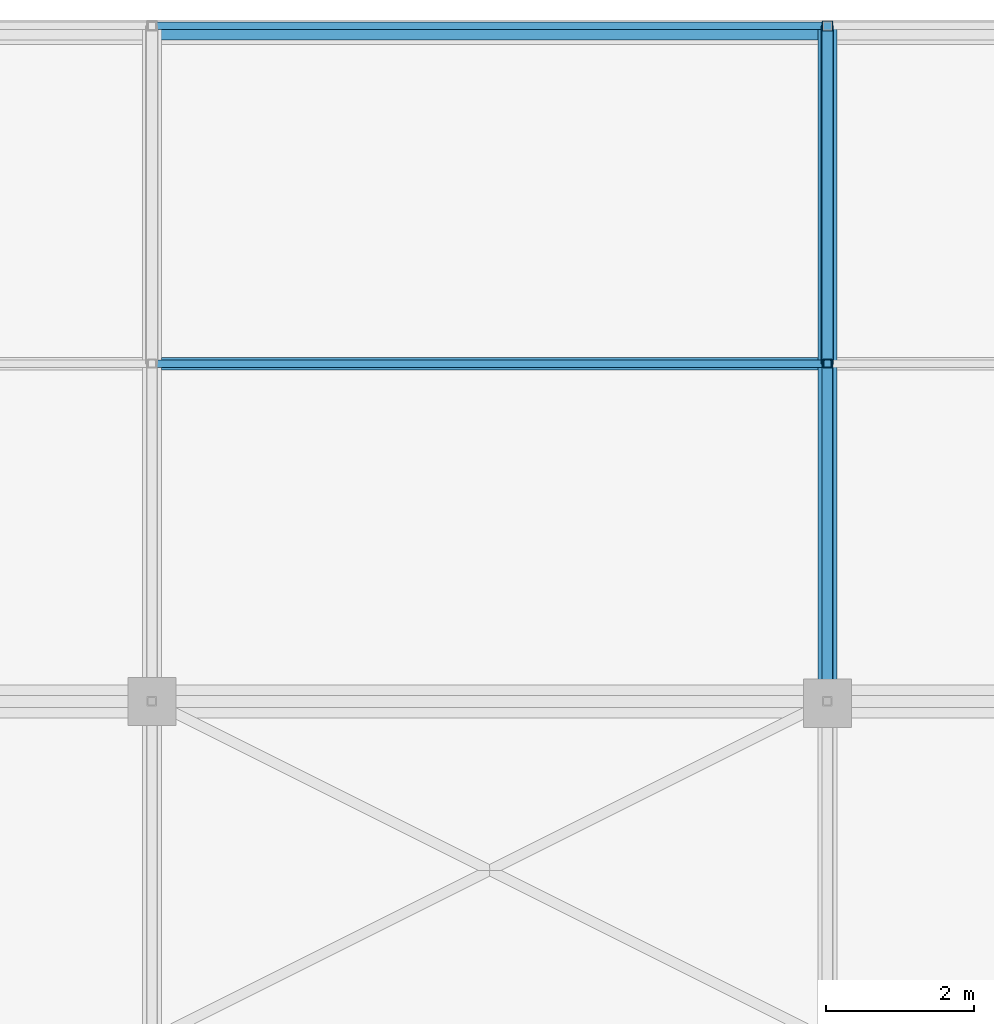
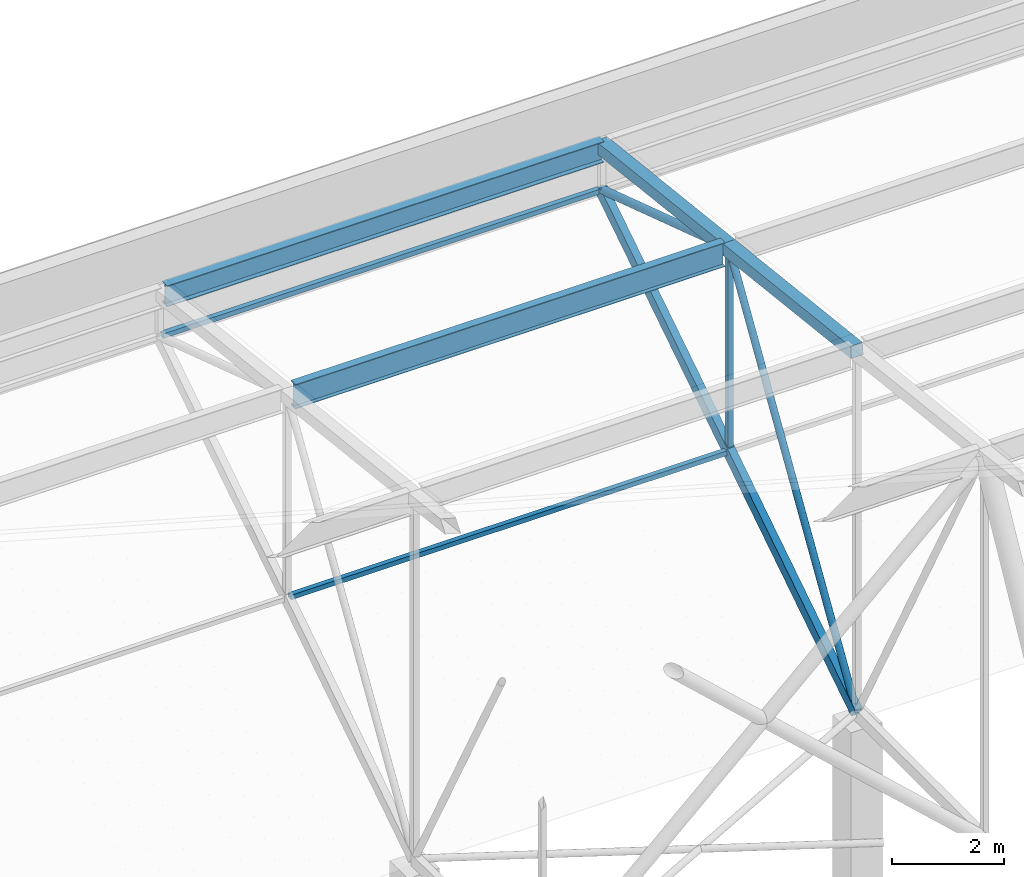
# One storey, part 253 of 500: 11 members.
"""IFC4 building model written with IfcOpenShell, lengths in metres."""

from ifc_helpers import new_model, si_unit, direction, frame, origin, origin_2d, place, context, subcontext, project, spatial, hollow_rectangle, hollow_circle, i_section, extrude, material, material_profile, profile_set, type_object, element, save


model = new_model("IFC4")

# Units and contexts
model_context = context("Model", 3, precision=1e-05, world=origin(), true_north=direction((0.0, 1.0)))
body_context = subcontext(model_context, "Body", "Model", "MODEL_VIEW")
ifc_project = project(units=[si_unit("LENGTHUNIT", "METRE"), si_unit("AREAUNIT", "SQUARE_METRE"), si_unit("VOLUMEUNIT", "CUBIC_METRE"), si_unit("PLANEANGLEUNIT", "RADIAN"), si_unit("MASSUNIT", "GRAM", prefix="KILO")], contexts=[model_context])

# Site, building, storey
site_placement = place(None, origin())
site = spatial("IfcSite", under=ifc_project, at=site_placement, CompositionType="ELEMENT")
building_placement = place(site_placement, origin())
building = spatial("IfcBuilding", under=site, at=building_placement, Name="Shirokan Park Arena", CompositionType="ELEMENT")
storey_placement = place(building_placement, frame((0.0, 0.0, 29.1201171875)))
storey = spatial("IfcBuildingStorey", under=building, at=storey_placement, Name="L06", CompositionType="ELEMENT", Elevation=29.1201171875)

# Members
ifc_material_1 = material(Name="Steel ASTM A500 Grade C", Category="steel")
ifc_material_profile_1 = material_profile(ifc_material_1, hollow_rectangle(XDim=0.152099609375, YDim=0.25390625, WallThickness=0.009521484375, at=origin_2d()), Name="HSS254X152.4X9.5")
ifc_profile_set_1 = profile_set([ifc_material_profile_1], Name="Steel ASTM A500 Grade C")
member_type_1 = type_object("IfcMemberType", Name="Bottom chord HSS254X152.4X9.5", PredefinedType="CHORD", material=ifc_profile_set_1)
for number, where, z_axis, x_axis, name in (
    (1, (54.60009765625, 109.199951171875, 4.677001953125), (0.0, 0.840971691661, 0.541079119746), (-1.0, 0.0, 0.0), "Truss T07 bottom chord 27"),
    (2, (54.60009765625, 113.75, 7.6044921875), (0.0, 0.840971691661, 0.541079119746), (-1.0, 0.0, 0.0), "Truss T07 bottom chord 28"),
):
    element("IfcMember", number, at=place(storey_placement, frame(where, z_axis=z_axis, x_axis=x_axis)), inside=storey, type_object=member_type_1, Name=name, PredefinedType="CHORD", context=body_context, shape_type="SweptSolid", body=[
        extrude(hollow_rectangle(XDim=0.152099609375, YDim=0.25390625, WallThickness=0.009521484375, at=origin_2d()), origin(), (0.0, 0.0, 1.0), 5.410400390625),
    ])
ifc_material_profile_2 = material_profile(ifc_material_1, hollow_rectangle(XDim=0.10205078125, YDim=0.10205078125, WallThickness=0.00634765625, at=origin_2d()), Name="HSS101.6X101.6X6.4")
ifc_profile_set_2 = profile_set([ifc_material_profile_2], Name="Steel ASTM A500 Grade C")
member_type_2 = type_object("IfcMemberType", Name="Eave soffit rail HSS101.6X101.6X6.4", PredefinedType="USERDEFINED", material=ifc_profile_set_2)
for number, where, z_axis, x_axis, name in (
    (3, (45.556884765625, 118.300048828125, 10.531982421875), (1.0, 0.0, 0.0), (0.0, 1.0, 0.0), "Eave soffit rail N 29 bay 6"),
    (4, (45.556884765625, 113.75, 7.6044921875), (1.0, 0.0, 0.0), (0.0, 1.0, 0.0), "Eave soffit rail N 28 bay 6"),
):
    element("IfcMember", number, at=place(storey_placement, frame(where, z_axis=z_axis, x_axis=x_axis)), inside=storey, type_object=member_type_2, Name=name, ObjectType="EAVE SOFFIT RAIL", PredefinedType="USERDEFINED", context=body_context, shape_type="SweptSolid", body=[
        extrude(hollow_rectangle(XDim=0.10205078125, YDim=0.10205078125, WallThickness=0.00634765625, at=origin_2d()), origin(), (0.0, 0.0, 1.0), 8.986083984375),
    ])
ifc_material_2 = material(Name="Steel ASTM A992", Category="steel")
ifc_material_profile_3 = material_profile(ifc_material_2, i_section(OverallWidth=0.166015625, OverallDepth=0.528076171875, WebThickness=0.009765625, FlangeThickness=0.013671875, at=origin_2d()), Name="W530X74")
ifc_profile_set_3 = profile_set([ifc_material_profile_3], Name="Steel ASTM A992")
member_type_3 = type_object("IfcMemberType", Name="Purlin W530X74", PredefinedType="PURLIN", material=ifc_profile_set_3)
member_1_placement = place(storey_placement, frame((45.626953125, 113.75, 11.9658203125), z_axis=(1.0, 0.0, 0.0), x_axis=(0.0, 1.0, 0.0)))
element("IfcMember", 5, at=member_1_placement, inside=storey, type_object=member_type_3, Name="Purlin 28 bay 6", PredefinedType="PURLIN", context=body_context, shape_type="SweptSolid", body=[
    extrude(i_section(OverallWidth=0.166015625, OverallDepth=0.528076171875, WebThickness=0.009765625, FlangeThickness=0.013671875, at=origin_2d()), origin(), (0.0, 0.0, 1.0), 8.845947265625),
])
ifc_material_profile_4 = material_profile(ifc_material_2, i_section(OverallWidth=0.19091796875, OverallDepth=0.45703125, WebThickness=0.009033203125, FlangeThickness=0.014404296875, at=origin_2d()), Name="W460X74")
ifc_profile_set_4 = profile_set([ifc_material_profile_4], Name="Steel ASTM A992")
member_type_4 = type_object("IfcMemberType", Name="Roof edge beam W460X74", PredefinedType="USERDEFINED", material=ifc_profile_set_4)
member_2_placement = place(storey_placement, frame((45.556884765625, 118.20458984375, 11.4814453125), z_axis=(1.0, 0.0, 0.0), x_axis=(0.0, 1.0, 0.0)))
element("IfcMember", 6, at=member_2_placement, inside=storey, type_object=member_type_4, Name="Roof edge beam N 7", ObjectType="ROOF EDGE BEAM", PredefinedType="USERDEFINED", context=body_context, shape_type="SweptSolid", body=[
    extrude(i_section(OverallWidth=0.19091796875, OverallDepth=0.45703125, WebThickness=0.009033203125, FlangeThickness=0.014404296875, at=origin_2d()), origin(), (0.0, 0.0, 1.0), 8.986083984375),
])
ifc_material_profile_5 = material_profile(ifc_material_1, hollow_rectangle(XDim=0.25390625, YDim=0.25390625, WallThickness=0.009521484375, at=origin_2d()), Name="HSS254X254X9.5")
ifc_profile_set_5 = profile_set([ifc_material_profile_5], Name="Steel ASTM A500 Grade C")
member_type_5 = type_object("IfcMemberType", Name="Top chord HSS254X254X9.5", PredefinedType="CHORD", material=ifc_profile_set_5)
for number, where, z_axis, x_axis, name in (
    (7, (54.60009765625, 109.199951171875, 12.54150390625), (0.0, 0.993532328996, -0.113549598152), (-1.0, 0.0, 0.0), "Truss T07 top chord 27"),
    (8, (54.60009765625, 113.75, 12.021484375), (0.0, 0.993532328996, -0.113549598152), (-1.0, 0.0, 0.0), "Truss T07 top chord 28"),
):
    element("IfcMember", number, at=place(storey_placement, frame(where, z_axis=z_axis, x_axis=x_axis)), inside=storey, type_object=member_type_5, Name=name, PredefinedType="CHORD", context=body_context, shape_type="SweptSolid", body=[
        extrude(hollow_rectangle(XDim=0.25390625, YDim=0.25390625, WallThickness=0.009521484375, at=origin_2d()), origin(), (0.0, 0.0, 1.0), 4.57958984375),
    ])
ifc_material_profile_6 = material_profile(ifc_material_1, hollow_circle(Radius=0.070556640625, WallThickness=0.006591796875, at=origin_2d()), Name="HSS141.3X6.6")
ifc_profile_set_6 = profile_set([ifc_material_profile_6], Name="Steel ASTM A500 Grade C")
member_type_6 = type_object("IfcMemberType", Name="Truss diagonal HSS141.3X6.6", PredefinedType="BRACE", material=ifc_profile_set_6)
member_3_placement = place(storey_placement, frame((54.60009765625, 109.199951171875, 4.677001953125), z_axis=(0.0, 0.526644483383, 0.850085635758), x_axis=(-1.0, 0.0, 0.0)))
element("IfcMember", 9, at=member_3_placement, inside=storey, type_object=member_type_6, Name="Truss T07 diagonal 27", PredefinedType="BRACE", context=body_context, shape_type="SweptSolid", body=[
    extrude(hollow_circle(Radius=0.070556640625, WallThickness=0.006591796875, at=origin_2d()), origin(), (0.0, 0.0, 1.0), 8.6396484375),
])
ifc_material_profile_7 = material_profile(ifc_material_1, hollow_circle(Radius=0.083984375, WallThickness=0.009521484375, at=origin_2d()), Name="HSS168.3X9.5")
ifc_profile_set_7 = profile_set([ifc_material_profile_7], Name="Steel ASTM A500 Grade C")
member_type_7 = type_object("IfcMemberType", Name="Truss diagonal HSS168.3X9.5", PredefinedType="BRACE", material=ifc_profile_set_7)
member_4_placement = place(storey_placement, frame((54.60009765625, 113.75, 12.021484375), z_axis=(0.0, 0.950372733116, -0.311113593644), x_axis=(-1.0, 0.0, 0.0)))
element("IfcMember", 10, at=member_4_placement, inside=storey, type_object=member_type_7, Name="Truss T07 diagonal 28", PredefinedType="BRACE", context=body_context, shape_type="SweptSolid", body=[
    extrude(hollow_circle(Radius=0.083984375, WallThickness=0.009521484375, at=origin_2d()), origin(), (0.0, 0.0, 1.0), 4.78759765625),
])
ifc_material_profile_8 = material_profile(ifc_material_1, hollow_rectangle(XDim=0.114013671875, YDim=0.114013671875, WallThickness=0.00634765625, at=origin_2d()), Name="HSS114.3X114.3X6.4")
ifc_profile_set_8 = profile_set([ifc_material_profile_8], Name="Steel ASTM A500 Grade C")
member_type_8 = type_object("IfcMemberType", Name="Truss post HSS114.3X114.3X6.4", PredefinedType="POST", material=ifc_profile_set_8)
member_5_placement = place(storey_placement, frame((54.60009765625, 113.75, 7.6044921875), z_axis=(0.0, 0.0, 1.0), x_axis=(1.0, 0.0, 0.0)))
element("IfcMember", 11, at=member_5_placement, inside=storey, type_object=member_type_8, Name="Truss T07 post 28", PredefinedType="POST", context=body_context, shape_type="SweptSolid", body=[
    extrude(hollow_rectangle(XDim=0.114013671875, YDim=0.114013671875, WallThickness=0.00634765625, at=origin_2d()), origin(), (0.0, 0.0, 1.0), 4.4169921875),
])

save(model, "model.ifc")
